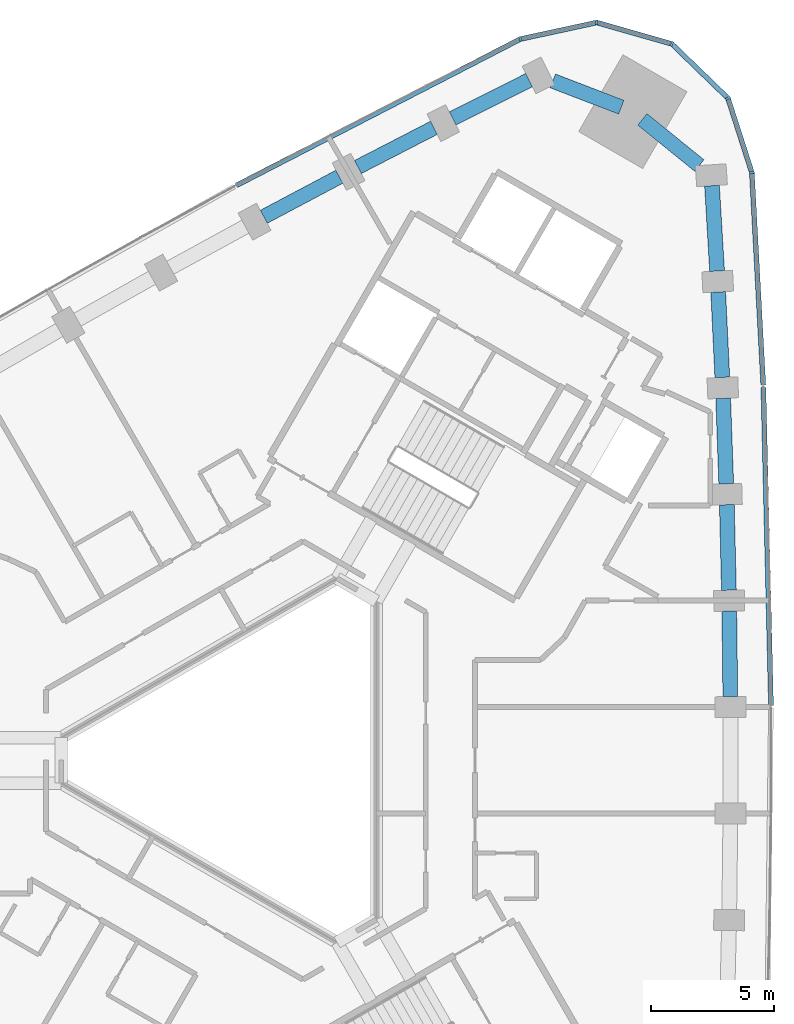
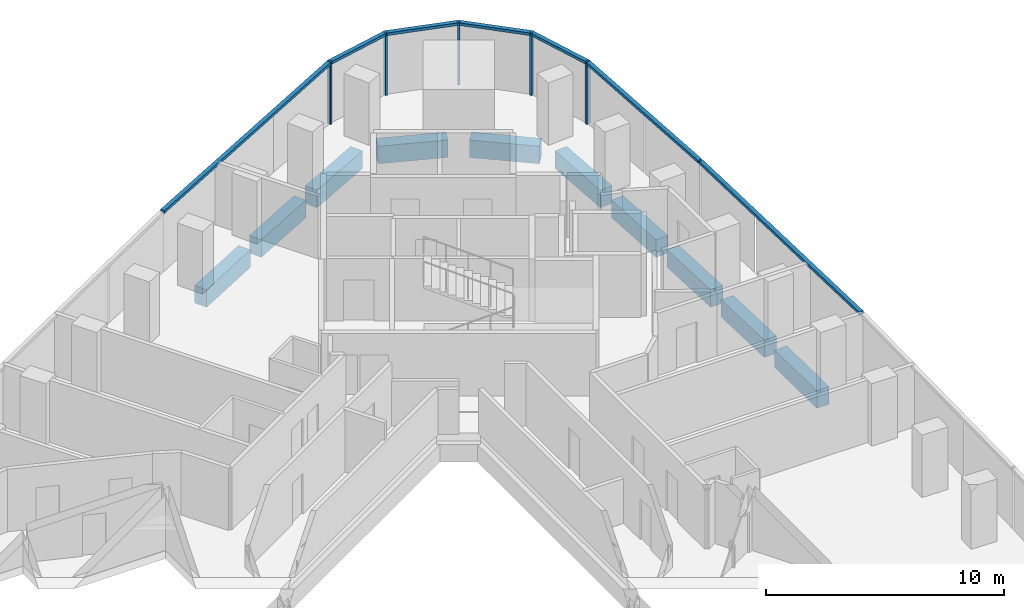
# One storey, part 5 of 13: 12 members, 10 beams, 2 elements without a shape of their own.
"""IFC4 building model written with IfcOpenShell, lengths in metres."""

from ifc_helpers import new_model, si_unit, direction, frame, origin, origin_2d, place, context, subcontext, project, spatial, rectangle, extrude, material, material_profile, profile_set, type_object, element, aggregate, save


model = new_model("IFC4")

# Units and contexts
model_context = context("Model", 3, precision=1e-05, world=origin(), true_north=direction((0.0, 1.0)))
body_context = subcontext(model_context, "Body", "Model", "MODEL_VIEW")
ifc_project = project(units=[si_unit("LENGTHUNIT", "METRE"), si_unit("AREAUNIT", "SQUARE_METRE"), si_unit("VOLUMEUNIT", "CUBIC_METRE"), si_unit("PLANEANGLEUNIT", "RADIAN"), si_unit("MASSUNIT", "GRAM", prefix="KILO")], contexts=[model_context])

# Site, building, storey
site_placement = place(None, origin())
site = spatial("IfcSite", under=ifc_project, at=site_placement, CompositionType="ELEMENT")
building_placement = place(site_placement, origin())
building = spatial("IfcBuilding", under=site, at=building_placement, Name="Tamra Quay Hotel Tower", CompositionType="ELEMENT")
storey_placement = place(building_placement, frame((0.0, 0.0, 132.39990234375)))
storey = spatial("IfcBuildingStorey", under=building, at=storey_placement, Name="L32", CompositionType="ELEMENT", Elevation=132.39990234375)

# Curtain wall, members
ifc_material_1 = material(Name="Aluminium 6063 anodised dark grey", Category="aluminium")
curtain_wall_type_1 = type_object("IfcCurtainWallType", Name="CW1 CURTAIN WALL", PredefinedType="NOTDEFINED", material=ifc_material_1)
curtain_wall_1_placement = place(storey_placement, origin())
curtain_wall_1 = element("IfcCurtainWall", 1, at=curtain_wall_1_placement, inside=storey, type_object=curtain_wall_type_1, Name="CW1 east face L32", PredefinedType="NOTDEFINED")
ifc_material_profile_1 = material_profile(ifc_material_1, rectangle(XDim=0.199951171875, YDim=0.10009765625, at=origin_2d()), Name="MULLION 100X200")
ifc_profile_set_1 = profile_set([ifc_material_profile_1], Name="Aluminium 6063 anodised dark grey")
member_type_1 = type_object("IfcMemberType", Name="MULLION CW1 Z3", PredefinedType="MULLION", material=ifc_profile_set_1)
member_1_placement = place(storey_placement, frame((20.042236328125, 23.864990234375, 0.0), z_axis=(0.0, 0.0, 1.0), x_axis=(0.982883191402, 0.184229834881, 0.0)))
member_1 = element("IfcMember", 2, at=member_1_placement, type_object=member_type_1, Name="CW1 mullion L32.E.12", PredefinedType="MULLION", context=body_context, shape_type="SweptSolid", body=[
    extrude(rectangle(XDim=0.199951171875, YDim=0.10009765625, at=origin_2d()), origin(), (0.0, 0.0, 1.0), 3.2001953125),
])
member_2_placement = place(storey_placement, frame((19.072265625, 26.883544921875, 0.0), z_axis=(0.0, 0.0, 1.0), x_axis=(0.849197833806, 0.52807484229, 0.0)))
member_2 = element("IfcMember", 3, at=member_2_placement, type_object=member_type_1, Name="CW1 mullion L32.E.13", PredefinedType="MULLION", context=body_context, shape_type="SweptSolid", body=[
    extrude(rectangle(XDim=0.199951171875, YDim=0.10009765625, at=origin_2d()), origin(), (0.0, 0.0, 1.0), 3.2001953125),
])
member_3_placement = place(storey_placement, frame((16.794189453125, 29.088134765625, 0.0), z_axis=(0.0, 0.0, 1.0), x_axis=(0.5, 0.866025403784, 0.0)))
member_3 = element("IfcMember", 4, at=member_3_placement, type_object=member_type_1, Name="CW1 mullion L32.E.14", PredefinedType="MULLION", context=body_context, shape_type="SweptSolid", body=[
    extrude(rectangle(XDim=0.199951171875, YDim=0.10009765625, at=origin_2d()), origin(), (0.0, 0.0, 1.0), 3.2001953125),
])
member_4_placement = place(storey_placement, frame((13.74560546875, 29.958740234375, 0.0), z_axis=(0.0, 0.0, 1.0), x_axis=(0.032727311619, 0.99946431806, 0.0)))
member_4 = element("IfcMember", 5, at=member_4_placement, type_object=member_type_1, Name="CW1 mullion L32.E.15", PredefinedType="MULLION", context=body_context, shape_type="SweptSolid", body=[
    extrude(rectangle(XDim=0.199951171875, YDim=0.10009765625, at=origin_2d()), origin(), (0.0, 0.0, 1.0), 3.2001953125),
])

# Curtain wall, member
curtain_wall_type_2 = type_object("IfcCurtainWallType", Name="CW2 CURTAIN WALL", PredefinedType="NOTDEFINED", material=ifc_material_1)
curtain_wall_2_placement = place(storey_placement, origin())
curtain_wall_2 = element("IfcCurtainWall", 6, at=curtain_wall_2_placement, inside=storey, type_object=curtain_wall_type_2, Name="CW2 north-west face L32", PredefinedType="NOTDEFINED")
ifc_material_profile_2 = material_profile(ifc_material_1, rectangle(XDim=0.199951171875, YDim=0.10009765625, at=origin_2d()), Name="MULLION 100X200")
ifc_profile_set_2 = profile_set([ifc_material_profile_2], Name="Aluminium 6063 anodised dark grey")
member_type_2 = type_object("IfcMemberType", Name="MULLION CW2 Z3", PredefinedType="MULLION", material=ifc_profile_set_2)
member_5_placement = place(storey_placement, frame((10.646728515625, 29.28955078125, 0.0), z_axis=(0.0, 0.0, 1.0), x_axis=(-0.331893878559, 0.943316730147, 0.0)))
member_5 = element("IfcMember", 7, at=member_5_placement, type_object=member_type_2, Name="CW2 mullion L32.NW.1", PredefinedType="MULLION", context=body_context, shape_type="SweptSolid", body=[
    extrude(rectangle(XDim=0.199951171875, YDim=0.10009765625, at=origin_2d()), origin(), (0.0, 0.0, 1.0), 3.2001953125),
])

# Beams
ifc_material_2 = material(Name="Concrete M60", Category="concrete")
ifc_material_profile_3 = material_profile(ifc_material_2, rectangle(XDim=0.60009765625, YDim=0.89990234375, at=origin_2d()), Name="SPANDREL BEAM RC 600x900")
ifc_profile_set_3 = profile_set([ifc_material_profile_3], Name="Concrete M60")
beam_type = type_object("IfcBeamType", Name="SPANDREL BEAM RC 600x900", PredefinedType="SPANDREL", material=ifc_profile_set_3)
beam_1_placement = place(storey_placement, frame((19.165771484375, 2.586181640625, -0.849853515625), z_axis=(-0.011951617666, 0.999928576867, 0.0), x_axis=(-0.999928576867, -0.011951617666, 0.0)))
element("IfcBeam", 8, at=beam_1_placement, inside=storey, type_object=beam_type, Name="BM-SP3-006-L32", PredefinedType="SPANDREL", context=body_context, shape_type="SweptSolid", body=[
    extrude(rectangle(XDim=0.60009765625, YDim=0.89990234375, at=origin_2d()), origin(), (0.0, 0.0, 1.0), 3.47265625),
])
beam_2_placement = place(storey_placement, frame((19.10888671875, 6.90869140625, -0.849853515625), z_axis=(-0.023906514803, 0.999714198434, 0.0), x_axis=(-0.999714198434, -0.023906514803, 0.0)))
element("IfcBeam", 9, at=beam_2_placement, inside=storey, type_object=beam_type, Name="BM-SP3-007-L32", PredefinedType="SPANDREL", context=body_context, shape_type="SweptSolid", body=[
    extrude(rectangle(XDim=0.60009765625, YDim=0.89990234375, at=origin_2d()), origin(), (0.0, 0.0, 1.0), 3.47216796875),
])
beam_3_placement = place(storey_placement, frame((19.00048828125, 11.2294921875, -0.849853515625), z_axis=(-0.035786826945, 0.999359446354, 0.0), x_axis=(-0.999359446354, -0.035786826945, 0.0)))
element("IfcBeam", 10, at=beam_3_placement, inside=storey, type_object=beam_type, Name="BM-SP3-008-L32", PredefinedType="SPANDREL", context=body_context, shape_type="SweptSolid", body=[
    extrude(rectangle(XDim=0.60009765625, YDim=0.89990234375, at=origin_2d()), origin(), (0.0, 0.0, 1.0), 3.472412109375),
])
beam_4_placement = place(storey_placement, frame((18.840576171875, 15.548828125, -0.849853515625), z_axis=(-0.047732145575, 0.998860171535, 0.0), x_axis=(-0.998860171535, -0.047732145575, 0.0)))
element("IfcBeam", 11, at=beam_4_placement, inside=storey, type_object=beam_type, Name="BM-SP3-009-L32", PredefinedType="SPANDREL", context=body_context, shape_type="SweptSolid", body=[
    extrude(rectangle(XDim=0.60009765625, YDim=0.89990234375, at=origin_2d()), origin(), (0.0, 0.0, 1.0), 3.472900390625),
])
beam_5_placement = place(storey_placement, frame((18.629150390625, 19.86669921875, -0.849853515625), z_axis=(-0.059620475238, 0.998221117254, 0.0), x_axis=(-0.998221117254, -0.059620475238, 0.0)))
element("IfcBeam", 12, at=beam_5_placement, inside=storey, type_object=beam_type, Name="BM-SP3-010-L32", PredefinedType="SPANDREL", context=body_context, shape_type="SweptSolid", body=[
    extrude(rectangle(XDim=0.60009765625, YDim=0.89990234375, at=origin_2d()), origin(), (0.0, 0.0, 1.0), 3.472412109375),
])
beam_6_placement = place(storey_placement, frame((17.909912109375, 24.151123046875, -0.849853515625), z_axis=(-0.777183767602, 0.629273701482, 0.0), x_axis=(-0.629273701482, -0.777183767602, 0.0)))
element("IfcBeam", 13, at=beam_6_placement, inside=storey, type_object=beam_type, Name="BM-SP3-011-L32", PredefinedType="SPANDREL", context=body_context, shape_type="SweptSolid", body=[
    extrude(rectangle(XDim=0.60009765625, YDim=0.89990234375, at=origin_2d()), origin(), (0.0, 0.0, 1.0), 2.977783203125),
])
beam_7_placement = place(storey_placement, frame((14.74072265625, 26.5185546875, -0.849853515625), z_axis=(-0.933527198951, 0.358506581278, 0.0), x_axis=(-0.358506581278, -0.933527198951, 0.0)))
element("IfcBeam", 14, at=beam_7_placement, inside=storey, type_object=beam_type, Name="BM-SP3-012-L32", PredefinedType="SPANDREL", context=body_context, shape_type="SweptSolid", body=[
    extrude(rectangle(XDim=0.60009765625, YDim=0.89990234375, at=origin_2d()), origin(), (0.0, 0.0, 1.0), 2.97802734375),
])
beam_8_placement = place(storey_placement, frame((10.995849609375, 27.620361328125, -0.849853515625), z_axis=(-0.894314670292, -0.447438566174, 0.0), x_axis=(0.447438566174, -0.894314670292, 0.0)))
element("IfcBeam", 15, at=beam_8_placement, inside=storey, type_object=beam_type, Name="BM-SP3-013-L32", PredefinedType="SPANDREL", context=body_context, shape_type="SweptSolid", body=[
    extrude(rectangle(XDim=0.60009765625, YDim=0.89990234375, at=origin_2d()), origin(), (0.0, 0.0, 1.0), 3.472412109375),
])
beam_9_placement = place(storey_placement, frame((7.132568359375, 25.681640625, -0.849853515625), z_axis=(-0.888919913451, -0.458062645792, 0.0), x_axis=(0.458062645792, -0.888919913451, 0.0)))
element("IfcBeam", 16, at=beam_9_placement, inside=storey, type_object=beam_type, Name="BM-SP3-014-L32", PredefinedType="SPANDREL", context=body_context, shape_type="SweptSolid", body=[
    extrude(rectangle(XDim=0.60009765625, YDim=0.89990234375, at=origin_2d()), origin(), (0.0, 0.0, 1.0), 3.472900390625),
])
beam_10_placement = place(storey_placement, frame((3.292236328125, 23.697021484375, -0.849853515625), z_axis=(-0.883411391477, -0.468598243071, 0.0), x_axis=(0.468598243071, -0.883411391477, 0.0)))
element("IfcBeam", 17, at=beam_10_placement, inside=storey, type_object=beam_type, Name="BM-SP3-015-L32", PredefinedType="SPANDREL", context=body_context, shape_type="SweptSolid", body=[
    extrude(rectangle(XDim=0.60009765625, YDim=0.89990234375, at=origin_2d()), origin(), (0.0, 0.0, 1.0), 3.472412109375),
])

# Member
ifc_material_profile_4 = material_profile(ifc_material_1, rectangle(XDim=0.199951171875, YDim=0.139892578125, at=origin_2d()), Name="TRANSOM 200X140")
ifc_profile_set_4 = profile_set([ifc_material_profile_4], Name="Aluminium 6063 anodised dark grey")
member_type_3 = type_object("IfcMemberType", Name="TRANSOM CW1 Z3", PredefinedType="USERDEFINED", material=ifc_profile_set_4)
member_6_placement = place(storey_placement, frame((20.819091796875, 2.22119140625, 3.130126953125), z_axis=(-0.023891765039, 0.999714551041, 0.0), x_axis=(-0.999714551041, -0.023891765039, 0.0)))
member_6 = element("IfcMember", 18, at=member_6_placement, type_object=member_type_3, Name="CW1 transom L32.E.7", ObjectType="TRANSOM", PredefinedType="USERDEFINED", context=body_context, shape_type="SweptSolid", body=[
    extrude(rectangle(XDim=0.199951171875, YDim=0.139892578125, at=origin_2d()), origin(), (0.0, 0.0, 1.0), 12.926513671875),
])

member_7_placement = place(storey_placement, frame((20.506103515625, 15.243896484375, 3.130126953125), z_axis=(-0.053699324936, 0.998557150343, 0.0), x_axis=(-0.998557150343, -0.053699324936, 0.0)))
member_7 = element("IfcMember", 19, at=member_7_placement, type_object=member_type_3, Name="CW1 transom L32.E.10", ObjectType="TRANSOM", PredefinedType="USERDEFINED", context=body_context, shape_type="SweptSolid", body=[
    extrude(rectangle(XDim=0.199951171875, YDim=0.139892578125, at=origin_2d()), origin(), (0.0, 0.0, 1.0), 8.583740234375),
])

member_8_placement = place(storey_placement, frame((20.02685546875, 23.91259765625, 3.130126953125), z_axis=(-0.30588048859, 0.952069916918, 0.0), x_axis=(-0.952069916918, -0.30588048859, 0.0)))
member_8 = element("IfcMember", 20, at=member_8_placement, type_object=member_type_3, Name="CW1 transom L32.E.12", ObjectType="TRANSOM", PredefinedType="USERDEFINED", context=body_context, shape_type="SweptSolid", body=[
    extrude(rectangle(XDim=0.199951171875, YDim=0.139892578125, at=origin_2d()), origin(), (0.0, 0.0, 1.0), 3.070556640625),
])

member_9_placement = place(storey_placement, frame((19.036376953125, 26.918212890625, 3.130126953125), z_axis=(-0.71858163235, 0.695442619955, 0.0), x_axis=(-0.695442619955, -0.71858163235, 0.0)))
member_9 = element("IfcMember", 21, at=member_9_placement, type_object=member_type_3, Name="CW1 transom L32.E.13", ObjectType="TRANSOM", PredefinedType="USERDEFINED", context=body_context, shape_type="SweptSolid", body=[
    extrude(rectangle(XDim=0.199951171875, YDim=0.139892578125, at=origin_2d()), origin(), (0.0, 0.0, 1.0), 3.0703125),
])

member_10_placement = place(storey_placement, frame((16.74609375, 29.10205078125, 3.130126953125), z_axis=(-0.961568942949, 0.274563595469, 0.0), x_axis=(-0.274563595469, -0.961568942949, 0.0)))
member_10 = element("IfcMember", 22, at=member_10_placement, type_object=member_type_3, Name="CW1 transom L32.E.14", ObjectType="TRANSOM", PredefinedType="USERDEFINED", context=body_context, shape_type="SweptSolid", body=[
    extrude(rectangle(XDim=0.199951171875, YDim=0.139892578125, at=origin_2d()), origin(), (0.0, 0.0, 1.0), 3.0703125),
])

member_11_placement = place(storey_placement, frame((13.69677734375, 29.9482421875, 3.130126953125), z_axis=(-0.977462525021, -0.211109005445, 0.0), x_axis=(0.211109005445, -0.977462525021, 0.0)))
member_11 = element("IfcMember", 23, at=member_11_placement, type_object=member_type_3, Name="CW1 transom L32.E.15", ObjectType="TRANSOM", PredefinedType="USERDEFINED", context=body_context, shape_type="SweptSolid", body=[
    extrude(rectangle(XDim=0.199951171875, YDim=0.139892578125, at=origin_2d()), origin(), (0.0, 0.0, 1.0), 3.0703125),
])

aggregate(curtain_wall_1, [member_6, member_7, member_1, member_8, member_2, member_9, member_3, member_10, member_4, member_11])

ifc_material_profile_5 = material_profile(ifc_material_1, rectangle(XDim=0.199951171875, YDim=0.139892578125, at=origin_2d()), Name="TRANSOM 200X140")
ifc_profile_set_5 = profile_set([ifc_material_profile_5], Name="Aluminium 6063 anodised dark grey")
member_type_4 = type_object("IfcMemberType", Name="TRANSOM CW2 Z3", PredefinedType="USERDEFINED", material=ifc_profile_set_5)
member_12_placement = place(storey_placement, frame((10.60205078125, 29.26708984375, 3.130126953125), z_axis=(-0.888917461153, -0.45806740471, 0.0), x_axis=(0.45806740471, -0.888917461153, 0.0)))
member_12 = element("IfcMember", 24, at=member_12_placement, type_object=member_type_4, Name="CW2 transom L32.NW.1", ObjectType="TRANSOM", PredefinedType="USERDEFINED", context=body_context, shape_type="SweptSolid", body=[
    extrude(rectangle(XDim=0.199951171875, YDim=0.139892578125, at=origin_2d()), origin(), (0.0, 0.0, 1.0), 12.92578125),
])

aggregate(curtain_wall_2, [member_5, member_12])

save(model, "model.ifc")
